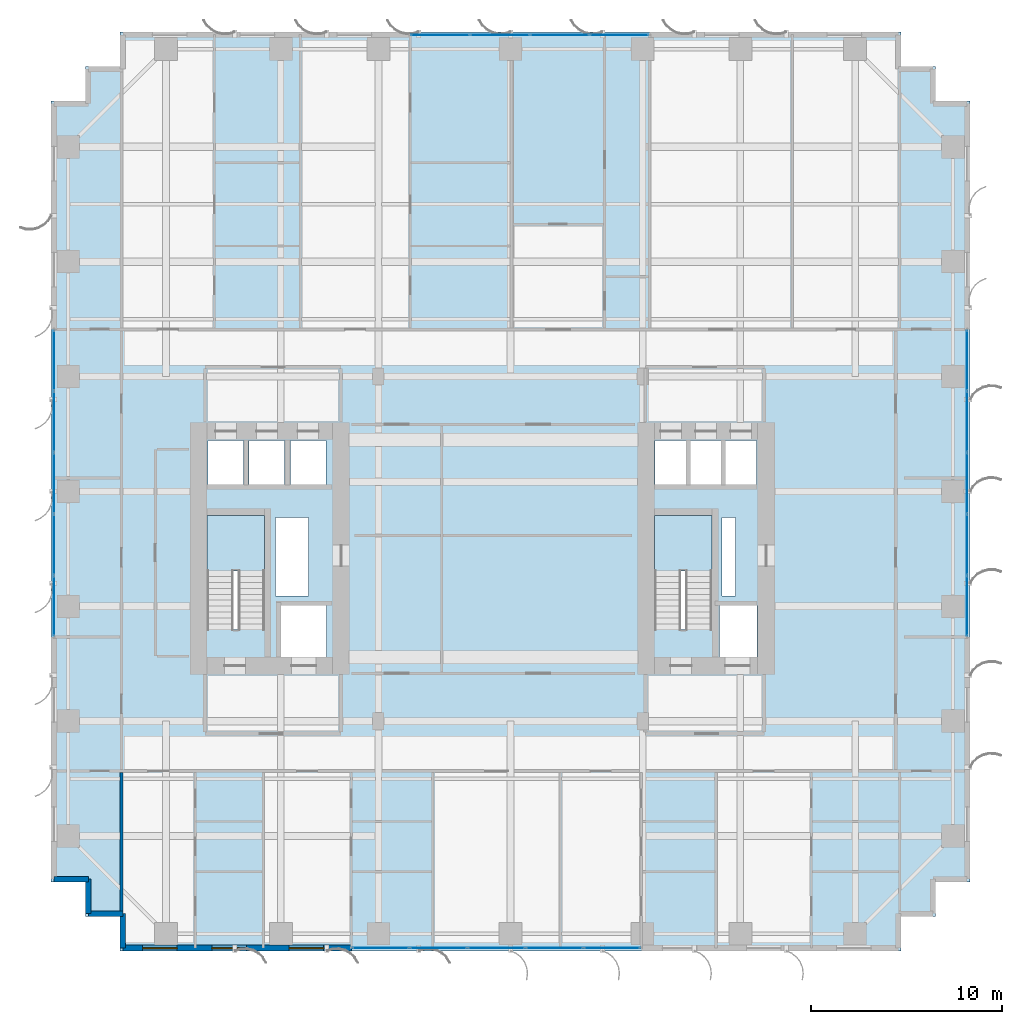
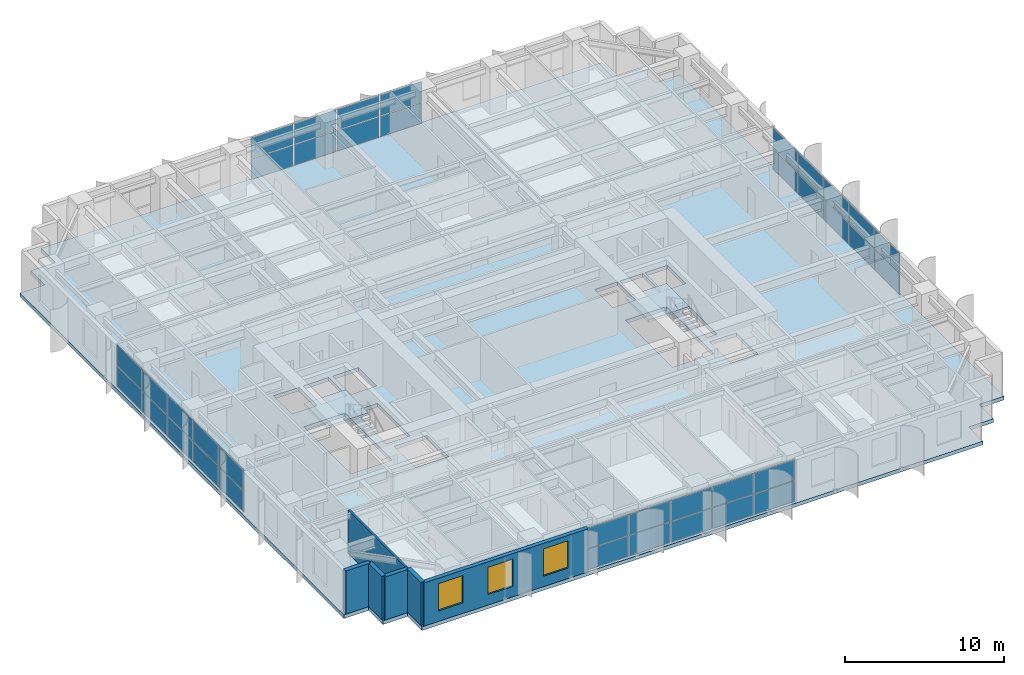
# One storey, part 15 of 24: 38 plates, 6 walls, 3 slabs, 3 windows, 3 openings, 6 elements without a shape of their own.
"""IFC4 building model written with IfcOpenShell, lengths in metres."""

from ifc_helpers import new_model, si_unit, direction, frame, frame_2d, origin, origin_2d, place, context, subcontext, project, spatial, polyline, rectangle, outline, extrude, source, transform, mapped, material, layer, layer_set, type_object, element, fill, aggregate, save


model = new_model("IFC4")

# Units and contexts
model_context = context("Model", 3, precision=1e-05, world=origin(), true_north=direction((0.0, 1.0)))
body_context = subcontext(model_context, "Body", "Model", "MODEL_VIEW")
ifc_project = project(units=[si_unit("LENGTHUNIT", "METRE"), si_unit("AREAUNIT", "SQUARE_METRE"), si_unit("VOLUMEUNIT", "CUBIC_METRE"), si_unit("PLANEANGLEUNIT", "RADIAN"), si_unit("MASSUNIT", "GRAM", prefix="KILO")], contexts=[model_context])

# Site, building, storey
site_placement = place(None, origin())
site = spatial("IfcSite", under=ifc_project, at=site_placement, CompositionType="ELEMENT")
building_placement = place(site_placement, origin())
building = spatial("IfcBuilding", under=site, at=building_placement, Name="Khoralis Quay Care Tower", CompositionType="ELEMENT")
storey_placement = place(building_placement, frame((0.0, 0.0, 40.5)))
storey = spatial("IfcBuildingStorey", under=building, at=storey_placement, Name="L10", CompositionType="ELEMENT", Elevation=40.5)

# Stair, slab
ifc_material_1 = material(Name="Precast concrete C45/55", Category="concrete")
stair_type = type_object("IfcStairType", Name="ST-TWR-DOGLEG-1400", PredefinedType="HALF_TURN_STAIR", material=ifc_material_1)
stair_1_placement = place(storey_placement, origin())
stair_1 = element("IfcStair", 1, at=stair_1_placement, inside=storey, type_object=stair_type, Name="L10 West Core Exit Stair ST-T1", PredefinedType="HALF_TURN_STAIR")
ifc_layer_1 = layer(ifc_material_1, 0.199951171875)
ifc_layer_set_1 = layer_set([ifc_layer_1], Name="Precast concrete C45/55")
slab_type_1 = type_object("IfcSlabType", Name="SLB-LANDING-200", PredefinedType="LANDING", material=ifc_layer_set_1)
slab_1_placement = place(storey_placement, frame((0.0, 0.0, 1.60009765625)))
slab_1 = element("IfcSlab", 2, at=slab_1_placement, type_object=slab_type_1, Name="ST-T1 landing 1", PredefinedType="LANDING", context=body_context, shape_type="SweptSolid", body=[
    extrude(outline(polyline([(11.14990234375, 19.840087890625), (11.14990234375, 22.75), (8.14990234375, 22.75), (8.14990234375, 19.840087890625), (11.14990234375, 19.840087890625)])), origin(), (0.0, 0.0, 1.0), 0.199951171875),
])
aggregate(stair_1, [slab_1])

stair_2_placement = place(storey_placement, origin())
stair_2 = element("IfcStair", 3, at=stair_2_placement, inside=storey, type_object=stair_type, Name="L10 East Core Exit Stair ST-T2", PredefinedType="HALF_TURN_STAIR")
slab_2_placement = place(storey_placement, frame((0.0, 0.0, 1.60009765625)))
slab_2 = element("IfcSlab", 4, at=slab_2_placement, type_object=slab_type_1, Name="ST-T2 landing 1", PredefinedType="LANDING", context=body_context, shape_type="SweptSolid", body=[
    extrude(outline(polyline([(34.52001953125, 19.840087890625), (34.52001953125, 22.75), (31.52001953125, 22.75), (31.52001953125, 19.840087890625), (34.52001953125, 19.840087890625)])), origin(), (0.0, 0.0, 1.0), 0.199951171875),
])
aggregate(stair_2, [slab_2])

# Slab
ifc_material_2 = material(Name="Concrete C40/50", Category="concrete")
ifc_layer_2 = layer(ifc_material_2, 0.280029296875)
ifc_layer_set_2 = layer_set([ifc_layer_2], Name="Concrete C40/50")
slab_type_2 = type_object("IfcSlabType", Name="SLB-TWR-280", PredefinedType="FLOOR", material=ifc_layer_set_2)
slab_3_placement = place(storey_placement, frame((0.0, 0.0, -0.280029296875)))
element("IfcSlab", 5, at=slab_3_placement, inside=storey, type_object=slab_type_2, Name="Tower Floor Slab L10", PredefinedType="FLOOR", context=body_context, shape_type="SweptSolid", body=[
    extrude(outline(polyline([(3.60009765625, 0.0), (44.39990234375, 0.0), (44.39990234375, 1.800048828125), (46.199951171875, 1.800048828125), (46.199951171875, 3.60009765625), (48.0, 3.60009765625), (48.0, 44.39990234375), (46.199951171875, 44.39990234375), (46.199951171875, 46.199951171875), (44.39990234375, 46.199951171875), (44.39990234375, 48.0), (3.60009765625, 48.0), (3.60009765625, 46.199951171875), (1.800048828125, 46.199951171875), (1.800048828125, 44.39990234375), (0.0, 44.39990234375), (0.0, 3.60009765625), (1.800048828125, 3.60009765625), (1.800048828125, 1.800048828125), (3.60009765625, 1.800048828125), (3.60009765625, 0.0)]), holes=[polyline([(11.14990234375, 16.800048828125), (11.14990234375, 22.75), (8.14990234375, 22.75), (8.14990234375, 16.800048828125), (11.14990234375, 16.800048828125)]), polyline([(34.52001953125, 16.800048828125), (34.52001953125, 22.75), (31.52001953125, 22.75), (31.52001953125, 16.800048828125), (34.52001953125, 16.800048828125)]), polyline([(12.0, 15.35009765625), (14.39990234375, 15.35009765625), (14.39990234375, 18.050048828125), (12.0, 18.050048828125), (12.0, 15.35009765625)]), polyline([(34.919921875, 15.35009765625), (36.8798828125, 15.35009765625), (36.8798828125, 18.050048828125), (34.919921875, 18.050048828125), (34.919921875, 15.35009765625)]), polyline([(8.199951171875, 24.35009765625), (10.050048828125, 24.35009765625), (10.050048828125, 26.64990234375), (8.199951171875, 26.64990234375), (8.199951171875, 24.35009765625)]), polyline([(31.550048828125, 24.35009765625), (33.199951171875, 24.35009765625), (33.199951171875, 26.64990234375), (31.550048828125, 26.64990234375), (31.550048828125, 24.35009765625)]), polyline([(10.35009765625, 24.35009765625), (12.199951171875, 24.35009765625), (12.199951171875, 26.64990234375), (10.35009765625, 26.64990234375), (10.35009765625, 24.35009765625)]), polyline([(33.3798828125, 24.35009765625), (35.030029296875, 24.35009765625), (35.030029296875, 26.64990234375), (33.3798828125, 26.64990234375), (33.3798828125, 24.35009765625)]), polyline([(12.5, 24.35009765625), (14.35009765625, 24.35009765625), (14.35009765625, 26.64990234375), (12.5, 26.64990234375), (12.5, 24.35009765625)]), polyline([(35.199951171875, 24.35009765625), (36.85009765625, 24.35009765625), (36.85009765625, 26.64990234375), (35.199951171875, 26.64990234375), (35.199951171875, 24.35009765625)]), polyline([(11.719970703125, 18.550048828125), (13.449951171875, 18.550048828125), (13.449951171875, 22.64990234375), (11.719970703125, 22.64990234375), (11.719970703125, 18.550048828125)]), polyline([(35.050048828125, 18.550048828125), (35.75, 18.550048828125), (35.75, 22.64990234375), (35.050048828125, 22.64990234375), (35.050048828125, 18.550048828125)])]), origin(), (0.0, 0.0, 1.0), 0.280029296875),
])

# Curtain wall, plates
ifc_material_3 = material(Name="Pale anodised aluminium", Category="aluminium")
ifc_layer_3 = layer(ifc_material_3, 0.179931640625)
ifc_layer_set_3 = layer_set([ifc_layer_3], Name="Pale anodised aluminium")
curtain_wall_type = type_object("IfcCurtainWallType", Name="CW-SYS-Z1", PredefinedType="NOTDEFINED", material=ifc_layer_set_3)
curtain_wall_1_placement = place(storey_placement, origin())
curtain_wall_1 = element("IfcCurtainWall", 6, at=curtain_wall_1_placement, inside=storey, type_object=curtain_wall_type, Name="L10 Unitised Curtain Wall CW-L10-P1-E5", PredefinedType="NOTDEFINED")
ifc_material_4 = material(Name="Low-E solar-control double glazing", Category="glass")
ifc_layer_4 = layer(ifc_material_4, 0.031982421875)
ifc_layer_set_4 = layer_set([ifc_layer_4], Name="Low-E solar-control double glazing")
plate_type = type_object("IfcPlateType", Name="PNL-VIS-32", PredefinedType="CURTAIN_PANEL", material=ifc_layer_set_4)
shared_shape_1 = source(origin(), body_context, "Body", "SweptSolid", [
    extrude(rectangle(XDim=3.1220703125, YDim=0.028076171875, at=origin_2d()), origin(), (0.0, 0.0, 1.0), 1.570068359375),
])
plate_1_placement = place(storey_placement, frame((47.85009765625, 18.02099609375, 0.06005859375), z_axis=(0.0, 0.0, 1.0), x_axis=(0.0, 1.0, 0.0)))
plate_1 = element("IfcPlate", 7, at=plate_1_placement, type_object=plate_type, Name="CW1 panel 1.1", PredefinedType="CURTAIN_PANEL", context=body_context, shape_type="MappedRepresentation", body=[
    mapped(shared_shape_1, transform((0.0, 0.0, 0.0), scale=1.0)),
])
plate_2_placement = place(storey_placement, frame((47.85009765625, 18.02099609375, 1.68994140625), z_axis=(0.0, 0.0, 1.0), x_axis=(0.0, 1.0, 0.0)))
plate_2 = element("IfcPlate", 8, at=plate_2_placement, type_object=plate_type, Name="CW1 panel 1.2", PredefinedType="CURTAIN_PANEL", context=body_context, shape_type="MappedRepresentation", body=[
    mapped(shared_shape_1, transform((0.0, 0.0, 0.0), scale=1.0)),
])
plate_3_placement = place(storey_placement, frame((47.85009765625, 30.839111328125, 0.06005859375), z_axis=(0.0, 0.0, 1.0), x_axis=(0.0, 1.0, 0.0)))
plate_3 = element("IfcPlate", 9, at=plate_3_placement, type_object=plate_type, Name="CW1 panel 5.1", PredefinedType="CURTAIN_PANEL", context=body_context, shape_type="MappedRepresentation", body=[
    mapped(shared_shape_1, transform((0.0, 0.0, 0.0), scale=1.0)),
])
plate_4_placement = place(storey_placement, frame((47.85009765625, 30.839111328125, 1.68994140625), z_axis=(0.0, 0.0, 1.0), x_axis=(0.0, 1.0, 0.0)))
plate_4 = element("IfcPlate", 10, at=plate_4_placement, type_object=plate_type, Name="CW1 panel 5.2", PredefinedType="CURTAIN_PANEL", context=body_context, shape_type="MappedRepresentation", body=[
    mapped(shared_shape_1, transform((0.0, 0.0, 0.0), scale=1.0)),
])

curtain_wall_2_placement = place(storey_placement, origin())
curtain_wall_2 = element("IfcCurtainWall", 11, at=curtain_wall_2_placement, inside=storey, type_object=curtain_wall_type, Name="L10 Unitised Curtain Wall CW-L10-P1-E15", PredefinedType="NOTDEFINED")
plate_5_placement = place(storey_placement, frame((0.14990234375, 30.839111328125, 0.06005859375), z_axis=(0.0, 0.0, 1.0), x_axis=(0.0, -1.0, 0.0)))
plate_5 = element("IfcPlate", 12, at=plate_5_placement, type_object=plate_type, Name="CW1 panel 1.1", PredefinedType="CURTAIN_PANEL", context=body_context, shape_type="MappedRepresentation", body=[
    mapped(shared_shape_1, transform((0.0, 0.0, 0.0), scale=1.0)),
])
plate_6_placement = place(storey_placement, frame((0.14990234375, 30.839111328125, 1.68994140625), z_axis=(0.0, 0.0, 1.0), x_axis=(0.0, -1.0, 0.0)))
plate_6 = element("IfcPlate", 13, at=plate_6_placement, type_object=plate_type, Name="CW1 panel 1.2", PredefinedType="CURTAIN_PANEL", context=body_context, shape_type="MappedRepresentation", body=[
    mapped(shared_shape_1, transform((0.0, 0.0, 0.0), scale=1.0)),
])
plate_7_placement = place(storey_placement, frame((0.14990234375, 18.02099609375, 0.06005859375), z_axis=(0.0, 0.0, 1.0), x_axis=(0.0, -1.0, 0.0)))
plate_7 = element("IfcPlate", 14, at=plate_7_placement, type_object=plate_type, Name="CW1 panel 5.1", PredefinedType="CURTAIN_PANEL", context=body_context, shape_type="MappedRepresentation", body=[
    mapped(shared_shape_1, transform((0.0, 0.0, 0.0), scale=1.0)),
])
plate_8_placement = place(storey_placement, frame((0.14990234375, 18.02099609375, 1.68994140625), z_axis=(0.0, 0.0, 1.0), x_axis=(0.0, -1.0, 0.0)))
plate_8 = element("IfcPlate", 15, at=plate_8_placement, type_object=plate_type, Name="CW1 panel 5.2", PredefinedType="CURTAIN_PANEL", context=body_context, shape_type="MappedRepresentation", body=[
    mapped(shared_shape_1, transform((0.0, 0.0, 0.0), scale=1.0)),
])

# Plate
shared_shape_2 = source(origin(), body_context, "Body", "SweptSolid", [
    extrude(rectangle(XDim=3.152099609375, YDim=0.028076171875, at=origin_2d()), origin(), (0.0, 0.0, 1.0), 1.570068359375),
])
plate_9_placement = place(storey_placement, frame((47.85009765625, 21.218017578125, 0.06005859375), z_axis=(0.0, 0.0, 1.0), x_axis=(0.0, 1.0, 0.0)))
plate_9 = element("IfcPlate", 16, at=plate_9_placement, type_object=plate_type, Name="CW1 panel 2.1", PredefinedType="CURTAIN_PANEL", context=body_context, shape_type="MappedRepresentation", body=[
    mapped(shared_shape_2, transform((0.0, 0.0, 0.0), scale=1.0)),
])

plate_10_placement = place(storey_placement, frame((47.85009765625, 21.218017578125, 1.68994140625), z_axis=(0.0, 0.0, 1.0), x_axis=(0.0, 1.0, 0.0)))
plate_10 = element("IfcPlate", 17, at=plate_10_placement, type_object=plate_type, Name="CW1 panel 2.2", PredefinedType="CURTAIN_PANEL", context=body_context, shape_type="MappedRepresentation", body=[
    mapped(shared_shape_2, transform((0.0, 0.0, 0.0), scale=1.0)),
])

plate_11_placement = place(storey_placement, frame((47.85009765625, 24.429931640625, 0.06005859375), z_axis=(0.0, 0.0, 1.0), x_axis=(0.0, 1.0, 0.0)))
plate_11 = element("IfcPlate", 18, at=plate_11_placement, type_object=plate_type, Name="CW1 panel 3.1", PredefinedType="CURTAIN_PANEL", context=body_context, shape_type="MappedRepresentation", body=[
    mapped(shared_shape_2, transform((0.0, 0.0, 0.0), scale=1.0)),
])

plate_12_placement = place(storey_placement, frame((47.85009765625, 24.429931640625, 1.68994140625), z_axis=(0.0, 0.0, 1.0), x_axis=(0.0, 1.0, 0.0)))
plate_12 = element("IfcPlate", 19, at=plate_12_placement, type_object=plate_type, Name="CW1 panel 3.2", PredefinedType="CURTAIN_PANEL", context=body_context, shape_type="MappedRepresentation", body=[
    mapped(shared_shape_2, transform((0.0, 0.0, 0.0), scale=1.0)),
])

plate_13_placement = place(storey_placement, frame((47.85009765625, 27.64208984375, 0.06005859375), z_axis=(0.0, 0.0, 1.0), x_axis=(0.0, 1.0, 0.0)))
plate_13 = element("IfcPlate", 20, at=plate_13_placement, type_object=plate_type, Name="CW1 panel 4.1", PredefinedType="CURTAIN_PANEL", context=body_context, shape_type="MappedRepresentation", body=[
    mapped(shared_shape_2, transform((0.0, 0.0, 0.0), scale=1.0)),
])

plate_14_placement = place(storey_placement, frame((47.85009765625, 27.64208984375, 1.68994140625), z_axis=(0.0, 0.0, 1.0), x_axis=(0.0, 1.0, 0.0)))
plate_14 = element("IfcPlate", 21, at=plate_14_placement, type_object=plate_type, Name="CW1 panel 4.2", PredefinedType="CURTAIN_PANEL", context=body_context, shape_type="MappedRepresentation", body=[
    mapped(shared_shape_2, transform((0.0, 0.0, 0.0), scale=1.0)),
])

aggregate(curtain_wall_1, [plate_1, plate_2, plate_9, plate_10, plate_11, plate_12, plate_13, plate_14, plate_3, plate_4])

plate_15_placement = place(storey_placement, frame((0.14990234375, 27.64208984375, 0.06005859375), z_axis=(0.0, 0.0, 1.0), x_axis=(0.0, -1.0, 0.0)))
plate_15 = element("IfcPlate", 22, at=plate_15_placement, type_object=plate_type, Name="CW1 panel 2.1", PredefinedType="CURTAIN_PANEL", context=body_context, shape_type="MappedRepresentation", body=[
    mapped(shared_shape_2, transform((0.0, 0.0, 0.0), scale=1.0)),
])

plate_16_placement = place(storey_placement, frame((0.14990234375, 27.64208984375, 1.68994140625), z_axis=(0.0, 0.0, 1.0), x_axis=(0.0, -1.0, 0.0)))
plate_16 = element("IfcPlate", 23, at=plate_16_placement, type_object=plate_type, Name="CW1 panel 2.2", PredefinedType="CURTAIN_PANEL", context=body_context, shape_type="MappedRepresentation", body=[
    mapped(shared_shape_2, transform((0.0, 0.0, 0.0), scale=1.0)),
])

plate_17_placement = place(storey_placement, frame((0.14990234375, 24.429931640625, 0.06005859375), z_axis=(0.0, 0.0, 1.0), x_axis=(0.0, -1.0, 0.0)))
plate_17 = element("IfcPlate", 24, at=plate_17_placement, type_object=plate_type, Name="CW1 panel 3.1", PredefinedType="CURTAIN_PANEL", context=body_context, shape_type="MappedRepresentation", body=[
    mapped(shared_shape_2, transform((0.0, 0.0, 0.0), scale=1.0)),
])

plate_18_placement = place(storey_placement, frame((0.14990234375, 24.429931640625, 1.68994140625), z_axis=(0.0, 0.0, 1.0), x_axis=(0.0, -1.0, 0.0)))
plate_18 = element("IfcPlate", 25, at=plate_18_placement, type_object=plate_type, Name="CW1 panel 3.2", PredefinedType="CURTAIN_PANEL", context=body_context, shape_type="MappedRepresentation", body=[
    mapped(shared_shape_2, transform((0.0, 0.0, 0.0), scale=1.0)),
])

plate_19_placement = place(storey_placement, frame((0.14990234375, 21.218017578125, 0.06005859375), z_axis=(0.0, 0.0, 1.0), x_axis=(0.0, -1.0, 0.0)))
plate_19 = element("IfcPlate", 26, at=plate_19_placement, type_object=plate_type, Name="CW1 panel 4.1", PredefinedType="CURTAIN_PANEL", context=body_context, shape_type="MappedRepresentation", body=[
    mapped(shared_shape_2, transform((0.0, 0.0, 0.0), scale=1.0)),
])

plate_20_placement = place(storey_placement, frame((0.14990234375, 21.218017578125, 1.68994140625), z_axis=(0.0, 0.0, 1.0), x_axis=(0.0, -1.0, 0.0)))
plate_20 = element("IfcPlate", 27, at=plate_20_placement, type_object=plate_type, Name="CW1 panel 4.2", PredefinedType="CURTAIN_PANEL", context=body_context, shape_type="MappedRepresentation", body=[
    mapped(shared_shape_2, transform((0.0, 0.0, 0.0), scale=1.0)),
])

aggregate(curtain_wall_2, [plate_5, plate_6, plate_15, plate_16, plate_17, plate_18, plate_19, plate_20, plate_7, plate_8])

# Curtain wall, plates
curtain_wall_3_placement = place(storey_placement, origin())
curtain_wall_3 = element("IfcCurtainWall", 28, at=curtain_wall_3_placement, inside=storey, type_object=curtain_wall_type, Name="L10 Unitised Curtain Wall CW-L10-P1-E0", PredefinedType="NOTDEFINED")
shared_shape_3 = source(origin(), body_context, "Body", "SweptSolid", [
    extrude(rectangle(XDim=2.938232421875, YDim=0.028076171875, at=origin_2d()), origin(), (0.0, 0.0, 1.0), 1.570068359375),
])
plate_21_placement = place(storey_placement, frame((17.216064453125, 0.14990234375, 0.06005859375), z_axis=(0.0, 0.0, 1.0), x_axis=(1.0, 0.0, 0.0)))
plate_21 = element("IfcPlate", 29, at=plate_21_placement, type_object=plate_type, Name="CW1 panel 1.1", PredefinedType="CURTAIN_PANEL", context=body_context, shape_type="MappedRepresentation", body=[
    mapped(shared_shape_3, transform((0.0, 0.0, 0.0), scale=1.0)),
])
plate_22_placement = place(storey_placement, frame((17.216064453125, 0.14990234375, 1.68994140625), z_axis=(0.0, 0.0, 1.0), x_axis=(1.0, 0.0, 0.0)))
plate_22 = element("IfcPlate", 30, at=plate_22_placement, type_object=plate_type, Name="CW1 panel 1.2", PredefinedType="CURTAIN_PANEL", context=body_context, shape_type="MappedRepresentation", body=[
    mapped(shared_shape_3, transform((0.0, 0.0, 0.0), scale=1.0)),
])
plate_23_placement = place(storey_placement, frame((29.298828125, 0.14990234375, 0.06005859375), z_axis=(0.0, 0.0, 1.0), x_axis=(1.0, 0.0, 0.0)))
plate_23 = element("IfcPlate", 31, at=plate_23_placement, type_object=plate_type, Name="CW1 panel 5.1", PredefinedType="CURTAIN_PANEL", context=body_context, shape_type="MappedRepresentation", body=[
    mapped(shared_shape_3, transform((0.0, 0.0, 0.0), scale=1.0)),
])
plate_24_placement = place(storey_placement, frame((29.298828125, 0.14990234375, 1.68994140625), z_axis=(0.0, 0.0, 1.0), x_axis=(1.0, 0.0, 0.0)))
plate_24 = element("IfcPlate", 32, at=plate_24_placement, type_object=plate_type, Name="CW1 panel 5.2", PredefinedType="CURTAIN_PANEL", context=body_context, shape_type="MappedRepresentation", body=[
    mapped(shared_shape_3, transform((0.0, 0.0, 0.0), scale=1.0)),
])
shared_shape_4 = source(origin(), body_context, "Body", "SweptSolid", [
    extrude(rectangle(XDim=2.96826171875, YDim=0.028076171875, at=origin_2d()), origin(), (0.0, 0.0, 1.0), 1.570068359375),
])
plate_25_placement = place(storey_placement, frame((20.229248046875, 0.14990234375, 0.06005859375), z_axis=(0.0, 0.0, 1.0), x_axis=(1.0, 0.0, 0.0)))
plate_25 = element("IfcPlate", 33, at=plate_25_placement, type_object=plate_type, Name="CW1 panel 2.1", PredefinedType="CURTAIN_PANEL", context=body_context, shape_type="MappedRepresentation", body=[
    mapped(shared_shape_4, transform((0.0, 0.0, 0.0), scale=1.0)),
])
plate_26_placement = place(storey_placement, frame((20.229248046875, 0.14990234375, 1.68994140625), z_axis=(0.0, 0.0, 1.0), x_axis=(1.0, 0.0, 0.0)))
plate_26 = element("IfcPlate", 34, at=plate_26_placement, type_object=plate_type, Name="CW1 panel 2.2", PredefinedType="CURTAIN_PANEL", context=body_context, shape_type="MappedRepresentation", body=[
    mapped(shared_shape_4, transform((0.0, 0.0, 0.0), scale=1.0)),
])
plate_27_placement = place(storey_placement, frame((23.257568359375, 0.14990234375, 0.06005859375), z_axis=(0.0, 0.0, 1.0), x_axis=(1.0, 0.0, 0.0)))
plate_27 = element("IfcPlate", 35, at=plate_27_placement, type_object=plate_type, Name="CW1 panel 3.1", PredefinedType="CURTAIN_PANEL", context=body_context, shape_type="MappedRepresentation", body=[
    mapped(shared_shape_4, transform((0.0, 0.0, 0.0), scale=1.0)),
])
plate_28_placement = place(storey_placement, frame((23.257568359375, 0.14990234375, 1.68994140625), z_axis=(0.0, 0.0, 1.0), x_axis=(1.0, 0.0, 0.0)))
plate_28 = element("IfcPlate", 36, at=plate_28_placement, type_object=plate_type, Name="CW1 panel 3.2", PredefinedType="CURTAIN_PANEL", context=body_context, shape_type="MappedRepresentation", body=[
    mapped(shared_shape_4, transform((0.0, 0.0, 0.0), scale=1.0)),
])
plate_29_placement = place(storey_placement, frame((26.28564453125, 0.14990234375, 0.06005859375), z_axis=(0.0, 0.0, 1.0), x_axis=(1.0, 0.0, 0.0)))
plate_29 = element("IfcPlate", 37, at=plate_29_placement, type_object=plate_type, Name="CW1 panel 4.1", PredefinedType="CURTAIN_PANEL", context=body_context, shape_type="MappedRepresentation", body=[
    mapped(shared_shape_4, transform((0.0, 0.0, 0.0), scale=1.0)),
])
plate_30_placement = place(storey_placement, frame((26.28564453125, 0.14990234375, 1.68994140625), z_axis=(0.0, 0.0, 1.0), x_axis=(1.0, 0.0, 0.0)))
plate_30 = element("IfcPlate", 38, at=plate_30_placement, type_object=plate_type, Name="CW1 panel 4.2", PredefinedType="CURTAIN_PANEL", context=body_context, shape_type="MappedRepresentation", body=[
    mapped(shared_shape_4, transform((0.0, 0.0, 0.0), scale=1.0)),
])
aggregate(curtain_wall_3, [plate_21, plate_22, plate_25, plate_26, plate_27, plate_28, plate_29, plate_30, plate_23, plate_24])

curtain_wall_4_placement = place(storey_placement, origin())
curtain_wall_4 = element("IfcCurtainWall", 39, at=curtain_wall_4_placement, inside=storey, type_object=curtain_wall_type, Name="L10 Unitised Curtain Wall CW-L10-P1-E10", PredefinedType="NOTDEFINED")
shared_shape_5 = source(origin(), body_context, "Body", "SweptSolid", [
    extrude(rectangle(XDim=3.035888671875, YDim=0.028076171875, at=origin_2d()), origin(), (0.0, 0.0, 1.0), 1.570068359375),
])
plate_31_placement = place(storey_placement, frame((29.681884765625, 47.85009765625, 0.06005859375), z_axis=(0.0, 0.0, 1.0), x_axis=(-1.0, 0.0, 0.0)))
plate_31 = element("IfcPlate", 40, at=plate_31_placement, type_object=plate_type, Name="CW1 panel 1.1", PredefinedType="CURTAIN_PANEL", context=body_context, shape_type="MappedRepresentation", body=[
    mapped(shared_shape_5, transform((0.0, 0.0, 0.0), scale=1.0)),
])
plate_32_placement = place(storey_placement, frame((29.681884765625, 47.85009765625, 1.68994140625), z_axis=(0.0, 0.0, 1.0), x_axis=(-1.0, 0.0, 0.0)))
plate_32 = element("IfcPlate", 41, at=plate_32_placement, type_object=plate_type, Name="CW1 panel 1.2", PredefinedType="CURTAIN_PANEL", context=body_context, shape_type="MappedRepresentation", body=[
    mapped(shared_shape_5, transform((0.0, 0.0, 0.0), scale=1.0)),
])
plate_33_placement = place(storey_placement, frame((20.333984375, 47.85009765625, 0.06005859375), z_axis=(0.0, 0.0, 1.0), x_axis=(-1.0, 0.0, 0.0)))
plate_33 = element("IfcPlate", 42, at=plate_33_placement, type_object=plate_type, Name="CW1 panel 4.1", PredefinedType="CURTAIN_PANEL", context=body_context, shape_type="MappedRepresentation", body=[
    mapped(shared_shape_5, transform((0.0, 0.0, 0.0), scale=1.0)),
])
plate_34_placement = place(storey_placement, frame((20.333984375, 47.85009765625, 1.68994140625), z_axis=(0.0, 0.0, 1.0), x_axis=(-1.0, 0.0, 0.0)))
plate_34 = element("IfcPlate", 43, at=plate_34_placement, type_object=plate_type, Name="CW1 panel 4.2", PredefinedType="CURTAIN_PANEL", context=body_context, shape_type="MappedRepresentation", body=[
    mapped(shared_shape_5, transform((0.0, 0.0, 0.0), scale=1.0)),
])
shared_shape_6 = source(origin(), body_context, "Body", "SweptSolid", [
    extrude(rectangle(XDim=3.06591796875, YDim=0.028076171875, at=origin_2d()), origin(), (0.0, 0.0, 1.0), 1.570068359375),
])
plate_35_placement = place(storey_placement, frame((26.571044921875, 47.85009765625, 0.06005859375), z_axis=(0.0, 0.0, 1.0), x_axis=(-1.0, 0.0, 0.0)))
plate_35 = element("IfcPlate", 44, at=plate_35_placement, type_object=plate_type, Name="CW1 panel 2.1", PredefinedType="CURTAIN_PANEL", context=body_context, shape_type="MappedRepresentation", body=[
    mapped(shared_shape_6, transform((0.0, 0.0, 0.0), scale=1.0)),
])
plate_36_placement = place(storey_placement, frame((26.571044921875, 47.85009765625, 1.68994140625), z_axis=(0.0, 0.0, 1.0), x_axis=(-1.0, 0.0, 0.0)))
plate_36 = element("IfcPlate", 45, at=plate_36_placement, type_object=plate_type, Name="CW1 panel 2.2", PredefinedType="CURTAIN_PANEL", context=body_context, shape_type="MappedRepresentation", body=[
    mapped(shared_shape_6, transform((0.0, 0.0, 0.0), scale=1.0)),
])
plate_37_placement = place(storey_placement, frame((23.445068359375, 47.85009765625, 0.06005859375), z_axis=(0.0, 0.0, 1.0), x_axis=(-1.0, 0.0, 0.0)))
plate_37 = element("IfcPlate", 46, at=plate_37_placement, type_object=plate_type, Name="CW1 panel 3.1", PredefinedType="CURTAIN_PANEL", context=body_context, shape_type="MappedRepresentation", body=[
    mapped(shared_shape_6, transform((0.0, 0.0, 0.0), scale=1.0)),
])
plate_38_placement = place(storey_placement, frame((23.445068359375, 47.85009765625, 1.68994140625), z_axis=(0.0, 0.0, 1.0), x_axis=(-1.0, 0.0, 0.0)))
plate_38 = element("IfcPlate", 47, at=plate_38_placement, type_object=plate_type, Name="CW1 panel 3.2", PredefinedType="CURTAIN_PANEL", context=body_context, shape_type="MappedRepresentation", body=[
    mapped(shared_shape_6, transform((0.0, 0.0, 0.0), scale=1.0)),
])
aggregate(curtain_wall_4, [plate_31, plate_32, plate_35, plate_36, plate_37, plate_38, plate_33, plate_34])

# Wall, openings, windows
ifc_layer_5 = layer(ifc_material_1, 0.300048828125)
ifc_layer_set_5 = layer_set([ifc_layer_5], Name="Precast concrete C45/55")
wall_type_1 = type_object("IfcWallType", Name="WL-EXT-REF-300", PredefinedType="SOLIDWALL", material=ifc_layer_set_5)
wall_1_placement = place(storey_placement, frame((3.75, 0.14990234375, 0.0), z_axis=(0.0, 0.0, 1.0), x_axis=(1.0, 0.0, 0.0)))
wall_1 = element("IfcWall", 48, at=wall_1_placement, inside=storey, type_object=wall_type_1, Name="L10 External Facade Wall WL-EXT-L10-P1-E0A", PredefinedType="SOLIDWALL", context=body_context, shape_type="SweptSolid", body=[
    extrude(rectangle(XDim=11.93701171875, YDim=0.300048828125, at=frame_2d((5.968505859375, 0.0))), origin(), (0.0, 0.0, 1.0), 3.320068359375),
])
opening_1_placement = place(wall_1_placement, frame((1.0390625, 0.0, 0.800048828125)))
opening_1 = element("IfcOpeningElement", 49, at=opening_1_placement, cuts=wall_1, Name="Opening W2", PredefinedType="OPENING", context=body_context, shape_type="SweptSolid", body=[
    extrude(rectangle(XDim=1.800048828125, YDim=2.10009765625, at=frame_2d((0.89990234375, 1.050048828125))), frame((0.0, 0.16015625, 0.0), z_axis=(0.0, -1.0, 0.0), x_axis=(1.0, 0.0, 0.0)), (0.0, 0.0, 1.0), 0.320068359375),
])
opening_2_placement = place(wall_1_placement, frame((4.654052734375, 0.0, 0.800048828125)))
opening_2 = element("IfcOpeningElement", 50, at=opening_2_placement, cuts=wall_1, Name="Opening W2", PredefinedType="OPENING", context=body_context, shape_type="SweptSolid", body=[
    extrude(rectangle(XDim=1.800048828125, YDim=2.10009765625, at=frame_2d((0.89990234375, 1.050048828125))), frame((0.0, 0.16015625, 0.0), z_axis=(0.0, -1.0, 0.0), x_axis=(1.0, 0.0, 0.0)), (0.0, 0.0, 1.0), 0.320068359375),
])
opening_3_placement = place(wall_1_placement, frame((8.68359375, 0.0, 0.800048828125)))
opening_3 = element("IfcOpeningElement", 51, at=opening_3_placement, cuts=wall_1, Name="Opening W2", PredefinedType="OPENING", context=body_context, shape_type="SweptSolid", body=[
    extrude(rectangle(XDim=1.800048828125, YDim=2.10009765625, at=frame_2d((0.89990234375, 1.050048828125))), frame((0.0, 0.16015625, 0.0), z_axis=(0.0, -1.0, 0.0), x_axis=(1.0, 0.0, 0.0)), (0.0, 0.0, 1.0), 0.320068359375),
])
window_type = type_object("IfcWindowType", Name="WN-POD-1800X2100", PartitioningType="SINGLE_PANEL", PredefinedType="WINDOW", material=ifc_material_4)
shared_shape_7 = source(origin(), body_context, "Body", "SweptSolid", [
    extrude(rectangle(XDim=1.800048828125, YDim=2.10009765625, at=frame_2d((0.89990234375, 1.050048828125))), frame((0.0, 0.030029296875, 0.0), z_axis=(0.0, -1.0, 0.0), x_axis=(1.0, 0.0, 0.0)), (0.0, 0.0, 1.0), 0.06005859375),
])
window_1_placement = place(opening_1_placement, origin())
window_1 = element("IfcWindow", 52, at=window_1_placement, inside=storey, type_object=window_type, Name="WN-L10-P1-E0A Facade Window 01", OverallHeight=2.10009765625, OverallWidth=1.800048828125, PartitioningType="SINGLE_PANEL", PredefinedType="WINDOW", context=body_context, shape_type="MappedRepresentation", body=[
    mapped(shared_shape_7, transform((0.0, 0.0, 0.0), scale=1.0)),
])
fill(opening_1, window_1)
window_2_placement = place(opening_2_placement, origin())
window_2 = element("IfcWindow", 53, at=window_2_placement, inside=storey, type_object=window_type, Name="WN-L10-P1-E0A Facade Window 02", OverallHeight=2.10009765625, OverallWidth=1.800048828125, PartitioningType="SINGLE_PANEL", PredefinedType="WINDOW", context=body_context, shape_type="MappedRepresentation", body=[
    mapped(shared_shape_7, transform((0.0, 0.0, 0.0), scale=1.0)),
])
fill(opening_2, window_2)
window_3_placement = place(opening_3_placement, origin())
window_3 = element("IfcWindow", 54, at=window_3_placement, inside=storey, type_object=window_type, Name="WN-L10-P1-E0A Facade Window 03", OverallHeight=2.10009765625, OverallWidth=1.800048828125, PartitioningType="SINGLE_PANEL", PredefinedType="WINDOW", context=body_context, shape_type="MappedRepresentation", body=[
    mapped(shared_shape_7, transform((0.0, 0.0, 0.0), scale=1.0)),
])
fill(opening_3, window_3)

# Walls
for number, where, z_axis, x_axis, name in (
    (55, (0.14990234375, 3.75, 0.0), (0.0, 0.0, 1.0), (1.0, 0.0, 0.0), "L10 External Facade Wall WL-EXT-L10-P1-C16"),
    (56, (1.949951171875, 3.75, 0.0), (0.0, 0.0, 1.0), (0.0, -1.0, 0.0), "L10 External Facade Wall WL-EXT-L10-P1-C17"),
    (57, (1.949951171875, 1.949951171875, 0.0), (0.0, 0.0, 1.0), (1.0, 0.0, 0.0), "L10 External Facade Wall WL-EXT-L10-P1-C18"),
    (58, (3.75, 1.949951171875, 0.0), (0.0, 0.0, 1.0), (0.0, -1.0, 0.0), "L10 External Facade Wall WL-EXT-L10-P1-C19"),
):
    element("IfcWall", number, at=place(storey_placement, frame(where, z_axis=z_axis, x_axis=x_axis)), inside=storey, type_object=wall_type_1, Name=name, PredefinedType="SOLIDWALL", context=body_context, shape_type="SweptSolid", body=[
        extrude(rectangle(XDim=1.800048828125, YDim=0.300048828125, at=frame_2d((0.89990234375, 0.0))), origin(), (0.0, 0.0, 1.0), 3.320068359375),
    ])
ifc_material_5 = material(Name="Gypsum plasterboard on acoustic metal stud")
ifc_layer_6 = layer(ifc_material_5, 0.139892578125)
ifc_layer_set_6 = layer_set([ifc_layer_6], Name="Gypsum plasterboard on acoustic metal stud")
wall_type_2 = type_object("IfcWallType", Name="WL-UNIT-140", PredefinedType="PARTITIONING", material=ifc_layer_set_6)
wall_2_placement = place(storey_placement, frame((3.679931640625, 1.945068359375, 0.0), z_axis=(0.0, 0.0, 1.0), x_axis=(0.0, 1.0, 0.0)))
element("IfcWall", 59, at=wall_2_placement, inside=storey, type_object=wall_type_2, Name="L10 SB Demising Wall 0", PredefinedType="PARTITIONING", context=body_context, shape_type="SweptSolid", body=[
    extrude(rectangle(XDim=7.37744140625, YDim=0.139892578125, at=frame_2d((3.688720703125, 0.0))), origin(), (0.0, 0.0, 1.0), 3.320068359375),
])

save(model, "model.ifc")
